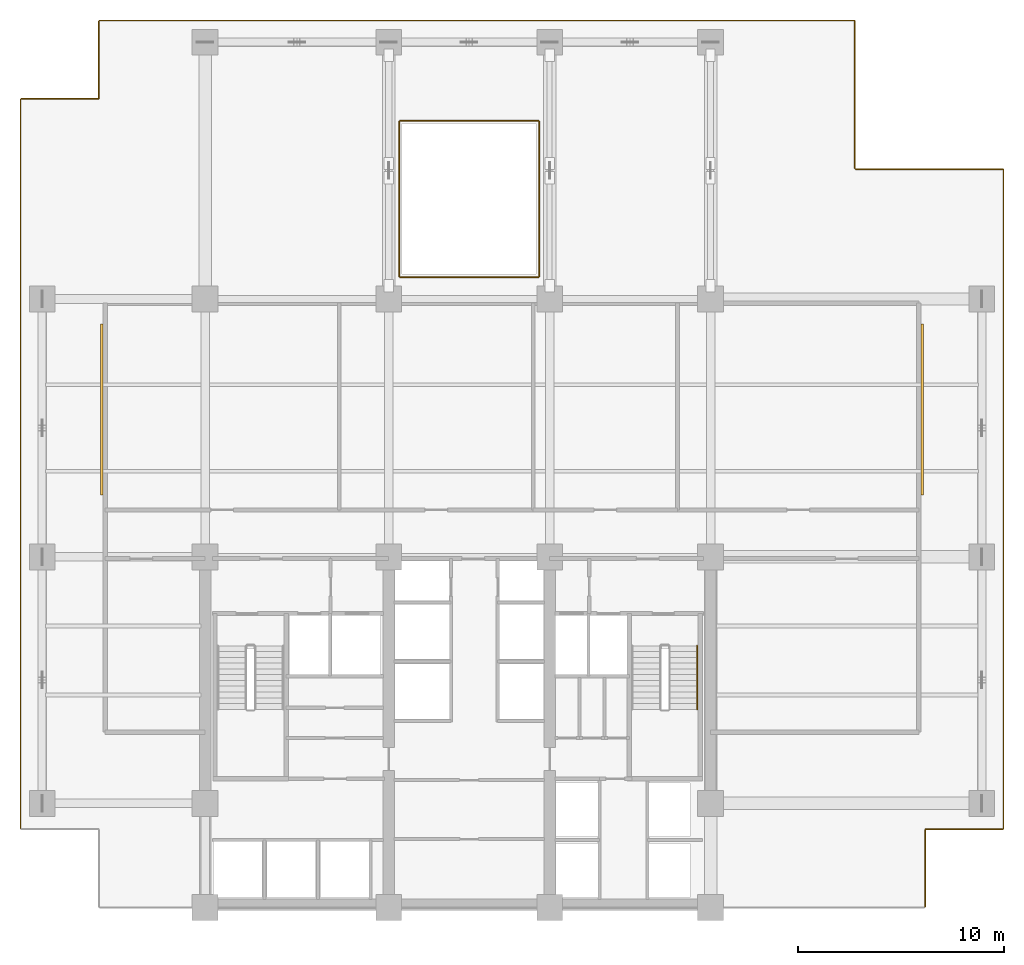
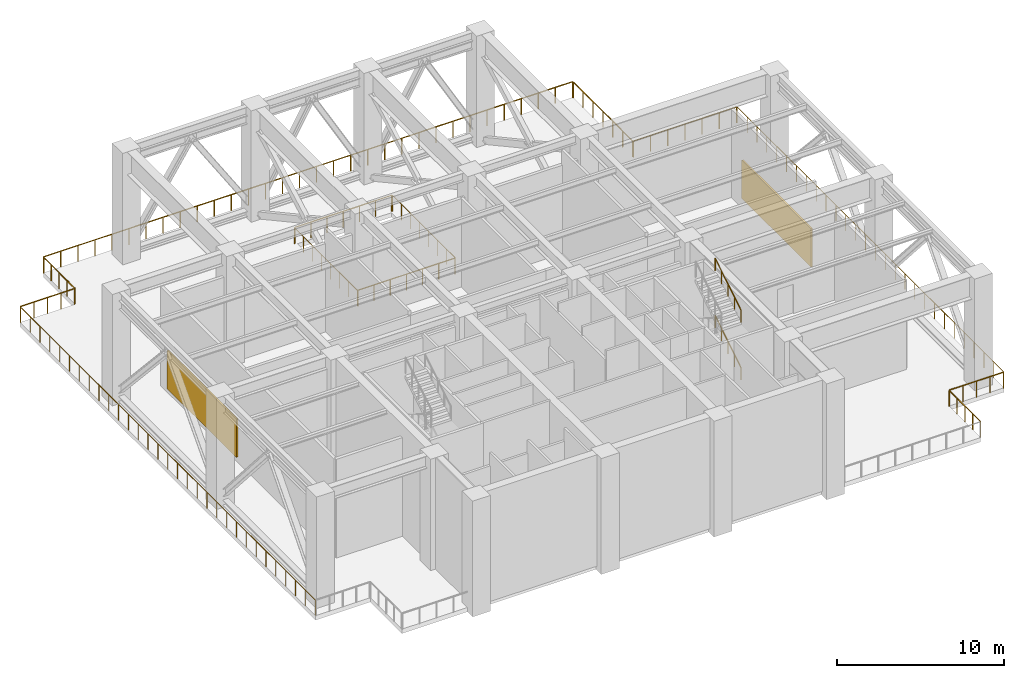
# One storey, part 7 of 7: 15 railings, 2 shading devices.
"""IFC4 building model written with IfcOpenShell, lengths in metres."""

from ifc_helpers import new_model, si_unit, direction, frame, origin, origin_2d, place, context, subcontext, project, spatial, polyline, circle, outline, extrude, material, layer, layer_set, type_object, element, save


model = new_model("IFC4")

# Units and contexts
model_context = context("Model", 3, precision=1e-05, world=origin(), true_north=direction((0.0, 1.0)))
body_context = subcontext(model_context, "Body", "Model", "MODEL_VIEW")
ifc_project = project(units=[si_unit("LENGTHUNIT", "METRE"), si_unit("AREAUNIT", "SQUARE_METRE"), si_unit("VOLUMEUNIT", "CUBIC_METRE"), si_unit("PLANEANGLEUNIT", "RADIAN"), si_unit("MASSUNIT", "GRAM", prefix="KILO")], contexts=[model_context])

# Site, building, storey
site_placement = place(None, origin())
site = spatial("IfcSite", under=ifc_project, at=site_placement, CompositionType="ELEMENT")
building_placement = place(site_placement, origin())
building = spatial("IfcBuilding", under=site, at=building_placement, Name="Qalmaran Belvedere Hotel", CompositionType="ELEMENT")
storey_placement = place(building_placement, frame((0.0, 0.0, 130.199951171875)))
storey = spatial("IfcBuildingStorey", under=building, at=storey_placement, Name="L33", CompositionType="ELEMENT", Elevation=130.199951171875)

# Railings
ifc_material_1 = material(Name="Anodised Bronze Aluminium", Category="aluminium")
railing_type_1 = type_object("IfcRailingType", Name="GRD-PORTAL-1180", PredefinedType="BALUSTRADE", material=ifc_material_1)
railing_1_placement = place(storey_placement, frame((55.199951171875, 3.534912109375, 0.0)))
element("IfcRailing", 1, at=railing_1_placement, inside=storey, type_object=railing_type_1, Name="L33 Guardrail L33-OUT-2", PredefinedType="BALUSTRADE", context=body_context, shape_type="SweptSolid", body=[
    extrude(circle(Radius=0.02392578125, at=origin_2d()), frame((0.0, 0.0, 1.15576171875), z_axis=(0.0, 1.0, 0.0), x_axis=(-1.0, 0.0, 0.0)), (0.0, 0.0, 1.0), 3.72998046875),
    extrude(circle(Radius=0.02099609375, at=origin_2d()), origin(), (0.0, 0.0, 1.0), 1.1318359375),
    extrude(circle(Radius=0.02099609375, at=origin_2d()), frame((0.0, 0.9326171875, 0.0)), (0.0, 0.0, 1.0), 1.1318359375),
    extrude(circle(Radius=0.02099609375, at=origin_2d()), frame((0.0, 1.864990234375, 0.0)), (0.0, 0.0, 1.0), 1.1318359375),
    extrude(circle(Radius=0.02099609375, at=origin_2d()), frame((0.0, 2.79736328125, 0.0)), (0.0, 0.0, 1.0), 1.1318359375),
    extrude(circle(Radius=0.02099609375, at=origin_2d()), frame((0.0, 3.72998046875, 0.0)), (0.0, 0.0, 1.0), 1.1318359375),
])
railing_2_placement = place(storey_placement, frame((55.235107421875, 7.300048828125, 0.0)))
element("IfcRailing", 2, at=railing_2_placement, inside=storey, type_object=railing_type_1, Name="L33 Guardrail L33-OUT-3", PredefinedType="BALUSTRADE", context=body_context, shape_type="SweptSolid", body=[
    extrude(circle(Radius=0.02392578125, at=origin_2d()), frame((0.0, 0.0, 1.15576171875), z_axis=(1.0, 0.0, 0.0), x_axis=(0.0, 1.0, 0.0)), (0.0, 0.0, 1.0), 3.72998046875),
    extrude(circle(Radius=0.02099609375, at=origin_2d()), origin(), (0.0, 0.0, 1.0), 1.1318359375),
    extrude(circle(Radius=0.02099609375, at=origin_2d()), frame((0.9326171875, 0.0, 0.0)), (0.0, 0.0, 1.0), 1.1318359375),
    extrude(circle(Radius=0.02099609375, at=origin_2d()), frame((1.864990234375, 0.0, 0.0)), (0.0, 0.0, 1.0), 1.1318359375),
    extrude(circle(Radius=0.02099609375, at=origin_2d()), frame((2.79736328125, 0.0, 0.0)), (0.0, 0.0, 1.0), 1.1318359375),
    extrude(circle(Radius=0.02099609375, at=origin_2d()), frame((3.72998046875, 0.0, 0.0)), (0.0, 0.0, 1.0), 1.1318359375),
])
railing_3_placement = place(storey_placement, frame((59.0, 7.3349609375, 0.0)))
element("IfcRailing", 3, at=railing_3_placement, inside=storey, type_object=railing_type_1, Name="L33 Guardrail L33-OUT-4", PredefinedType="BALUSTRADE", context=body_context, shape_type="SweptSolid", body=[
    extrude(circle(Radius=0.02392578125, at=origin_2d()), frame((0.0, 0.0, 1.15576171875), z_axis=(0.0, 1.0, 0.0), x_axis=(-1.0, 0.0, 0.0)), (0.0, 0.0, 1.0), 31.929931640625),
    extrude(circle(Radius=0.02099609375, at=origin_2d()), origin(), (0.0, 0.0, 1.0), 1.1318359375),
    extrude(circle(Radius=0.02099609375, at=origin_2d()), frame((0.0, 1.1826171875, 0.0)), (0.0, 0.0, 1.0), 1.1318359375),
    extrude(circle(Radius=0.02099609375, at=origin_2d()), frame((0.0, 2.365234375, 0.0)), (0.0, 0.0, 1.0), 1.1318359375),
    extrude(circle(Radius=0.02099609375, at=origin_2d()), frame((0.0, 3.5478515625, 0.0)), (0.0, 0.0, 1.0), 1.1318359375),
    extrude(circle(Radius=0.02099609375, at=origin_2d()), frame((0.0, 4.73046875, 0.0)), (0.0, 0.0, 1.0), 1.1318359375),
    extrude(circle(Radius=0.02099609375, at=origin_2d()), frame((0.0, 5.912841796875, 0.0)), (0.0, 0.0, 1.0), 1.1318359375),
    extrude(circle(Radius=0.02099609375, at=origin_2d()), frame((0.0, 7.095458984375, 0.0)), (0.0, 0.0, 1.0), 1.1318359375),
    extrude(circle(Radius=0.02099609375, at=origin_2d()), frame((0.0, 8.278076171875, 0.0)), (0.0, 0.0, 1.0), 1.1318359375),
    extrude(circle(Radius=0.02099609375, at=origin_2d()), frame((0.0, 9.460693359375, 0.0)), (0.0, 0.0, 1.0), 1.1318359375),
    extrude(circle(Radius=0.02099609375, at=origin_2d()), frame((0.0, 10.643310546875, 0.0)), (0.0, 0.0, 1.0), 1.1318359375),
    extrude(circle(Radius=0.02099609375, at=origin_2d()), frame((0.0, 11.825927734375, 0.0)), (0.0, 0.0, 1.0), 1.1318359375),
    extrude(circle(Radius=0.02099609375, at=origin_2d()), frame((0.0, 13.008544921875, 0.0)), (0.0, 0.0, 1.0), 1.1318359375),
    extrude(circle(Radius=0.02099609375, at=origin_2d()), frame((0.0, 14.191162109375, 0.0)), (0.0, 0.0, 1.0), 1.1318359375),
    extrude(circle(Radius=0.02099609375, at=origin_2d()), frame((0.0, 15.373779296875, 0.0)), (0.0, 0.0, 1.0), 1.1318359375),
    extrude(circle(Radius=0.02099609375, at=origin_2d()), frame((0.0, 16.55615234375, 0.0)), (0.0, 0.0, 1.0), 1.1318359375),
    extrude(circle(Radius=0.02099609375, at=origin_2d()), frame((0.0, 17.73876953125, 0.0)), (0.0, 0.0, 1.0), 1.1318359375),
    extrude(circle(Radius=0.02099609375, at=origin_2d()), frame((0.0, 18.92138671875, 0.0)), (0.0, 0.0, 1.0), 1.1318359375),
    extrude(circle(Radius=0.02099609375, at=origin_2d()), frame((0.0, 20.10400390625, 0.0)), (0.0, 0.0, 1.0), 1.1318359375),
    extrude(circle(Radius=0.02099609375, at=origin_2d()), frame((0.0, 21.28662109375, 0.0)), (0.0, 0.0, 1.0), 1.1318359375),
    extrude(circle(Radius=0.02099609375, at=origin_2d()), frame((0.0, 22.46923828125, 0.0)), (0.0, 0.0, 1.0), 1.1318359375),
    extrude(circle(Radius=0.02099609375, at=origin_2d()), frame((0.0, 23.65185546875, 0.0)), (0.0, 0.0, 1.0), 1.1318359375),
    extrude(circle(Radius=0.02099609375, at=origin_2d()), frame((0.0, 24.83447265625, 0.0)), (0.0, 0.0, 1.0), 1.1318359375),
    extrude(circle(Radius=0.02099609375, at=origin_2d()), frame((0.0, 26.01708984375, 0.0)), (0.0, 0.0, 1.0), 1.1318359375),
    extrude(circle(Radius=0.02099609375, at=origin_2d()), frame((0.0, 27.199462890625, 0.0)), (0.0, 0.0, 1.0), 1.1318359375),
    extrude(circle(Radius=0.02099609375, at=origin_2d()), frame((0.0, 28.382080078125, 0.0)), (0.0, 0.0, 1.0), 1.1318359375),
    extrude(circle(Radius=0.02099609375, at=origin_2d()), frame((0.0, 29.564697265625, 0.0)), (0.0, 0.0, 1.0), 1.1318359375),
    extrude(circle(Radius=0.02099609375, at=origin_2d()), frame((0.0, 30.747314453125, 0.0)), (0.0, 0.0, 1.0), 1.1318359375),
    extrude(circle(Radius=0.02099609375, at=origin_2d()), frame((0.0, 31.929931640625, 0.0)), (0.0, 0.0, 1.0), 1.1318359375),
])
railing_4_placement = place(storey_placement, frame((58.965087890625, 39.300048828125, 0.0)))
element("IfcRailing", 4, at=railing_4_placement, inside=storey, type_object=railing_type_1, Name="L33 Guardrail L33-OUT-5", PredefinedType="BALUSTRADE", context=body_context, shape_type="SweptSolid", body=[
    extrude(circle(Radius=0.02392578125, at=origin_2d()), frame((0.0, 0.0, 1.15576171875), z_axis=(-1.0, 0.0, 0.0), x_axis=(0.0, -1.0, 0.0)), (0.0, 0.0, 1.0), 7.130126953125),
    extrude(circle(Radius=0.02099609375, at=origin_2d()), origin(), (0.0, 0.0, 1.0), 1.1318359375),
    extrude(circle(Radius=0.02099609375, at=origin_2d()), frame((-1.1884765625, 0.0, 0.0)), (0.0, 0.0, 1.0), 1.1318359375),
    extrude(circle(Radius=0.02099609375, at=origin_2d()), frame((-2.376708984375, 0.0, 0.0)), (0.0, 0.0, 1.0), 1.1318359375),
    extrude(circle(Radius=0.02099609375, at=origin_2d()), frame((-3.56494140625, 0.0, 0.0)), (0.0, 0.0, 1.0), 1.1318359375),
    extrude(circle(Radius=0.02099609375, at=origin_2d()), frame((-4.75341796875, 0.0, 0.0)), (0.0, 0.0, 1.0), 1.1318359375),
    extrude(circle(Radius=0.02099609375, at=origin_2d()), frame((-5.94189453125, 0.0, 0.0)), (0.0, 0.0, 1.0), 1.1318359375),
    extrude(circle(Radius=0.02099609375, at=origin_2d()), frame((-7.130126953125, 0.0, 0.0)), (0.0, 0.0, 1.0), 1.1318359375),
])
railing_5_placement = place(storey_placement, frame((51.800048828125, 39.3349609375, 0.0)))
element("IfcRailing", 5, at=railing_5_placement, inside=storey, type_object=railing_type_1, Name="L33 Guardrail L33-OUT-6", PredefinedType="BALUSTRADE", context=body_context, shape_type="SweptSolid", body=[
    extrude(circle(Radius=0.02392578125, at=origin_2d()), frame((0.0, 0.0, 1.15576171875), z_axis=(0.0, 1.0, 0.0), x_axis=(-1.0, 0.0, 0.0)), (0.0, 0.0, 1.0), 7.130126953125),
    extrude(circle(Radius=0.02099609375, at=origin_2d()), origin(), (0.0, 0.0, 1.0), 1.1318359375),
    extrude(circle(Radius=0.02099609375, at=origin_2d()), frame((0.0, 1.1884765625, 0.0)), (0.0, 0.0, 1.0), 1.1318359375),
    extrude(circle(Radius=0.02099609375, at=origin_2d()), frame((0.0, 2.376708984375, 0.0)), (0.0, 0.0, 1.0), 1.1318359375),
    extrude(circle(Radius=0.02099609375, at=origin_2d()), frame((0.0, 3.56494140625, 0.0)), (0.0, 0.0, 1.0), 1.1318359375),
    extrude(circle(Radius=0.02099609375, at=origin_2d()), frame((0.0, 4.75341796875, 0.0)), (0.0, 0.0, 1.0), 1.1318359375),
    extrude(circle(Radius=0.02099609375, at=origin_2d()), frame((0.0, 5.94189453125, 0.0)), (0.0, 0.0, 1.0), 1.1318359375),
    extrude(circle(Radius=0.02099609375, at=origin_2d()), frame((0.0, 7.130126953125, 0.0)), (0.0, 0.0, 1.0), 1.1318359375),
])
railing_6_placement = place(storey_placement, frame((51.764892578125, 46.5, 0.0)))
element("IfcRailing", 6, at=railing_6_placement, inside=storey, type_object=railing_type_1, Name="L33 Guardrail L33-OUT-7", PredefinedType="BALUSTRADE", context=body_context, shape_type="SweptSolid", body=[
    extrude(circle(Radius=0.02392578125, at=origin_2d()), frame((0.0, 0.0, 1.15576171875), z_axis=(-1.0, 0.0, 0.0), x_axis=(0.0, -1.0, 0.0)), (0.0, 0.0, 1.0), 36.579833984375),
    extrude(circle(Radius=0.02099609375, at=origin_2d()), origin(), (0.0, 0.0, 1.0), 1.1318359375),
    extrude(circle(Radius=0.02099609375, at=origin_2d()), frame((-1.179931640625, 0.0, 0.0)), (0.0, 0.0, 1.0), 1.1318359375),
    extrude(circle(Radius=0.02099609375, at=origin_2d()), frame((-2.360107421875, 0.0, 0.0)), (0.0, 0.0, 1.0), 1.1318359375),
    extrude(circle(Radius=0.02099609375, at=origin_2d()), frame((-3.5400390625, 0.0, 0.0)), (0.0, 0.0, 1.0), 1.1318359375),
    extrude(circle(Radius=0.02099609375, at=origin_2d()), frame((-4.719970703125, 0.0, 0.0)), (0.0, 0.0, 1.0), 1.1318359375),
    extrude(circle(Radius=0.02099609375, at=origin_2d()), frame((-5.89990234375, 0.0, 0.0)), (0.0, 0.0, 1.0), 1.1318359375),
    extrude(circle(Radius=0.02099609375, at=origin_2d()), frame((-7.080078125, 0.0, 0.0)), (0.0, 0.0, 1.0), 1.1318359375),
    extrude(circle(Radius=0.02099609375, at=origin_2d()), frame((-8.260009765625, 0.0, 0.0)), (0.0, 0.0, 1.0), 1.1318359375),
    extrude(circle(Radius=0.02099609375, at=origin_2d()), frame((-9.43994140625, 0.0, 0.0)), (0.0, 0.0, 1.0), 1.1318359375),
    extrude(circle(Radius=0.02099609375, at=origin_2d()), frame((-10.619873046875, 0.0, 0.0)), (0.0, 0.0, 1.0), 1.1318359375),
    extrude(circle(Radius=0.02099609375, at=origin_2d()), frame((-11.800048828125, 0.0, 0.0)), (0.0, 0.0, 1.0), 1.1318359375),
    extrude(circle(Radius=0.02099609375, at=origin_2d()), frame((-12.97998046875, 0.0, 0.0)), (0.0, 0.0, 1.0), 1.1318359375),
    extrude(circle(Radius=0.02099609375, at=origin_2d()), frame((-14.159912109375, 0.0, 0.0)), (0.0, 0.0, 1.0), 1.1318359375),
    extrude(circle(Radius=0.02099609375, at=origin_2d()), frame((-15.33984375, 0.0, 0.0)), (0.0, 0.0, 1.0), 1.1318359375),
    extrude(circle(Radius=0.02099609375, at=origin_2d()), frame((-16.52001953125, 0.0, 0.0)), (0.0, 0.0, 1.0), 1.1318359375),
    extrude(circle(Radius=0.02099609375, at=origin_2d()), frame((-17.699951171875, 0.0, 0.0)), (0.0, 0.0, 1.0), 1.1318359375),
    extrude(circle(Radius=0.02099609375, at=origin_2d()), frame((-18.8798828125, 0.0, 0.0)), (0.0, 0.0, 1.0), 1.1318359375),
    extrude(circle(Radius=0.02099609375, at=origin_2d()), frame((-20.059814453125, 0.0, 0.0)), (0.0, 0.0, 1.0), 1.1318359375),
    extrude(circle(Radius=0.02099609375, at=origin_2d()), frame((-21.239990234375, 0.0, 0.0)), (0.0, 0.0, 1.0), 1.1318359375),
    extrude(circle(Radius=0.02099609375, at=origin_2d()), frame((-22.419921875, 0.0, 0.0)), (0.0, 0.0, 1.0), 1.1318359375),
    extrude(circle(Radius=0.02099609375, at=origin_2d()), frame((-23.599853515625, 0.0, 0.0)), (0.0, 0.0, 1.0), 1.1318359375),
    extrude(circle(Radius=0.02099609375, at=origin_2d()), frame((-24.77978515625, 0.0, 0.0)), (0.0, 0.0, 1.0), 1.1318359375),
    extrude(circle(Radius=0.02099609375, at=origin_2d()), frame((-25.9599609375, 0.0, 0.0)), (0.0, 0.0, 1.0), 1.1318359375),
    extrude(circle(Radius=0.02099609375, at=origin_2d()), frame((-27.139892578125, 0.0, 0.0)), (0.0, 0.0, 1.0), 1.1318359375),
    extrude(circle(Radius=0.02099609375, at=origin_2d()), frame((-28.31982421875, 0.0, 0.0)), (0.0, 0.0, 1.0), 1.1318359375),
    extrude(circle(Radius=0.02099609375, at=origin_2d()), frame((-29.499755859375, 0.0, 0.0)), (0.0, 0.0, 1.0), 1.1318359375),
    extrude(circle(Radius=0.02099609375, at=origin_2d()), frame((-30.679931640625, 0.0, 0.0)), (0.0, 0.0, 1.0), 1.1318359375),
    extrude(circle(Radius=0.02099609375, at=origin_2d()), frame((-31.85986328125, 0.0, 0.0)), (0.0, 0.0, 1.0), 1.1318359375),
    extrude(circle(Radius=0.02099609375, at=origin_2d()), frame((-33.039794921875, 0.0, 0.0)), (0.0, 0.0, 1.0), 1.1318359375),
    extrude(circle(Radius=0.02099609375, at=origin_2d()), frame((-34.2197265625, 0.0, 0.0)), (0.0, 0.0, 1.0), 1.1318359375),
    extrude(circle(Radius=0.02099609375, at=origin_2d()), frame((-35.39990234375, 0.0, 0.0)), (0.0, 0.0, 1.0), 1.1318359375),
    extrude(circle(Radius=0.02099609375, at=origin_2d()), frame((-36.579833984375, 0.0, 0.0)), (0.0, 0.0, 1.0), 1.1318359375),
])
railing_7_placement = place(storey_placement, frame((15.14990234375, 46.465087890625, 0.0)))
element("IfcRailing", 7, at=railing_7_placement, inside=storey, type_object=railing_type_1, Name="L33 Guardrail L33-OUT-8", PredefinedType="BALUSTRADE", context=body_context, shape_type="SweptSolid", body=[
    extrude(circle(Radius=0.02392578125, at=origin_2d()), frame((0.0, 0.0, 1.15576171875), z_axis=(0.0, -1.0, 0.0), x_axis=(1.0, 0.0, 0.0)), (0.0, 0.0, 1.0), 3.72998046875),
    extrude(circle(Radius=0.02099609375, at=origin_2d()), origin(), (0.0, 0.0, 1.0), 1.1318359375),
    extrude(circle(Radius=0.02099609375, at=origin_2d()), frame((0.0, -0.9326171875, 0.0)), (0.0, 0.0, 1.0), 1.1318359375),
    extrude(circle(Radius=0.02099609375, at=origin_2d()), frame((0.0, -1.864990234375, 0.0)), (0.0, 0.0, 1.0), 1.1318359375),
    extrude(circle(Radius=0.02099609375, at=origin_2d()), frame((0.0, -2.79736328125, 0.0)), (0.0, 0.0, 1.0), 1.1318359375),
    extrude(circle(Radius=0.02099609375, at=origin_2d()), frame((0.0, -3.72998046875, 0.0)), (0.0, 0.0, 1.0), 1.1318359375),
])
railing_8_placement = place(storey_placement, frame((15.114990234375, 42.699951171875, 0.0)))
element("IfcRailing", 8, at=railing_8_placement, inside=storey, type_object=railing_type_1, Name="L33 Guardrail L33-OUT-9", PredefinedType="BALUSTRADE", context=body_context, shape_type="SweptSolid", body=[
    extrude(circle(Radius=0.02392578125, at=origin_2d()), frame((0.0, 0.0, 1.15576171875), z_axis=(-1.0, 0.0, 0.0), x_axis=(0.0, -1.0, 0.0)), (0.0, 0.0, 1.0), 3.72998046875),
    extrude(circle(Radius=0.02099609375, at=origin_2d()), origin(), (0.0, 0.0, 1.0), 1.1318359375),
    extrude(circle(Radius=0.02099609375, at=origin_2d()), frame((-0.9326171875, 0.0, 0.0)), (0.0, 0.0, 1.0), 1.1318359375),
    extrude(circle(Radius=0.02099609375, at=origin_2d()), frame((-1.864990234375, 0.0, 0.0)), (0.0, 0.0, 1.0), 1.1318359375),
    extrude(circle(Radius=0.02099609375, at=origin_2d()), frame((-2.79736328125, 0.0, 0.0)), (0.0, 0.0, 1.0), 1.1318359375),
    extrude(circle(Radius=0.02099609375, at=origin_2d()), frame((-3.72998046875, 0.0, 0.0)), (0.0, 0.0, 1.0), 1.1318359375),
])
railing_9_placement = place(storey_placement, frame((11.35009765625, 42.6650390625, 0.0)))
element("IfcRailing", 9, at=railing_9_placement, inside=storey, type_object=railing_type_1, Name="L33 Guardrail L33-OUT-10", PredefinedType="BALUSTRADE", context=body_context, shape_type="SweptSolid", body=[
    extrude(circle(Radius=0.02392578125, at=origin_2d()), frame((0.0, 0.0, 1.15576171875), z_axis=(0.0, -1.0, 0.0), x_axis=(1.0, 0.0, 0.0)), (0.0, 0.0, 1.0), 35.330078125),
    extrude(circle(Radius=0.02099609375, at=origin_2d()), origin(), (0.0, 0.0, 1.0), 1.1318359375),
    extrude(circle(Radius=0.02099609375, at=origin_2d()), frame((0.0, -1.177734375, 0.0)), (0.0, 0.0, 1.0), 1.1318359375),
    extrude(circle(Radius=0.02099609375, at=origin_2d()), frame((0.0, -2.355224609375, 0.0)), (0.0, 0.0, 1.0), 1.1318359375),
    extrude(circle(Radius=0.02099609375, at=origin_2d()), frame((0.0, -3.532958984375, 0.0)), (0.0, 0.0, 1.0), 1.1318359375),
    extrude(circle(Radius=0.02099609375, at=origin_2d()), frame((0.0, -4.710693359375, 0.0)), (0.0, 0.0, 1.0), 1.1318359375),
    extrude(circle(Radius=0.02099609375, at=origin_2d()), frame((0.0, -5.888427734375, 0.0)), (0.0, 0.0, 1.0), 1.1318359375),
    extrude(circle(Radius=0.02099609375, at=origin_2d()), frame((0.0, -7.06591796875, 0.0)), (0.0, 0.0, 1.0), 1.1318359375),
    extrude(circle(Radius=0.02099609375, at=origin_2d()), frame((0.0, -8.24365234375, 0.0)), (0.0, 0.0, 1.0), 1.1318359375),
    extrude(circle(Radius=0.02099609375, at=origin_2d()), frame((0.0, -9.42138671875, 0.0)), (0.0, 0.0, 1.0), 1.1318359375),
    extrude(circle(Radius=0.02099609375, at=origin_2d()), frame((0.0, -10.59912109375, 0.0)), (0.0, 0.0, 1.0), 1.1318359375),
    extrude(circle(Radius=0.02099609375, at=origin_2d()), frame((0.0, -11.776611328125, 0.0)), (0.0, 0.0, 1.0), 1.1318359375),
    extrude(circle(Radius=0.02099609375, at=origin_2d()), frame((0.0, -12.954345703125, 0.0)), (0.0, 0.0, 1.0), 1.1318359375),
    extrude(circle(Radius=0.02099609375, at=origin_2d()), frame((0.0, -14.132080078125, 0.0)), (0.0, 0.0, 1.0), 1.1318359375),
    extrude(circle(Radius=0.02099609375, at=origin_2d()), frame((0.0, -15.309814453125, 0.0)), (0.0, 0.0, 1.0), 1.1318359375),
    extrude(circle(Radius=0.02099609375, at=origin_2d()), frame((0.0, -16.4873046875, 0.0)), (0.0, 0.0, 1.0), 1.1318359375),
    extrude(circle(Radius=0.02099609375, at=origin_2d()), frame((0.0, -17.6650390625, 0.0)), (0.0, 0.0, 1.0), 1.1318359375),
    extrude(circle(Radius=0.02099609375, at=origin_2d()), frame((0.0, -18.8427734375, 0.0)), (0.0, 0.0, 1.0), 1.1318359375),
    extrude(circle(Radius=0.02099609375, at=origin_2d()), frame((0.0, -20.020263671875, 0.0)), (0.0, 0.0, 1.0), 1.1318359375),
    extrude(circle(Radius=0.02099609375, at=origin_2d()), frame((0.0, -21.197998046875, 0.0)), (0.0, 0.0, 1.0), 1.1318359375),
    extrude(circle(Radius=0.02099609375, at=origin_2d()), frame((0.0, -22.375732421875, 0.0)), (0.0, 0.0, 1.0), 1.1318359375),
    extrude(circle(Radius=0.02099609375, at=origin_2d()), frame((0.0, -23.553466796875, 0.0)), (0.0, 0.0, 1.0), 1.1318359375),
    extrude(circle(Radius=0.02099609375, at=origin_2d()), frame((0.0, -24.73095703125, 0.0)), (0.0, 0.0, 1.0), 1.1318359375),
    extrude(circle(Radius=0.02099609375, at=origin_2d()), frame((0.0, -25.90869140625, 0.0)), (0.0, 0.0, 1.0), 1.1318359375),
    extrude(circle(Radius=0.02099609375, at=origin_2d()), frame((0.0, -27.08642578125, 0.0)), (0.0, 0.0, 1.0), 1.1318359375),
    extrude(circle(Radius=0.02099609375, at=origin_2d()), frame((0.0, -28.26416015625, 0.0)), (0.0, 0.0, 1.0), 1.1318359375),
    extrude(circle(Radius=0.02099609375, at=origin_2d()), frame((0.0, -29.441650390625, 0.0)), (0.0, 0.0, 1.0), 1.1318359375),
    extrude(circle(Radius=0.02099609375, at=origin_2d()), frame((0.0, -30.619384765625, 0.0)), (0.0, 0.0, 1.0), 1.1318359375),
    extrude(circle(Radius=0.02099609375, at=origin_2d()), frame((0.0, -31.797119140625, 0.0)), (0.0, 0.0, 1.0), 1.1318359375),
    extrude(circle(Radius=0.02099609375, at=origin_2d()), frame((0.0, -32.974853515625, 0.0)), (0.0, 0.0, 1.0), 1.1318359375),
    extrude(circle(Radius=0.02099609375, at=origin_2d()), frame((0.0, -34.15234375, 0.0)), (0.0, 0.0, 1.0), 1.1318359375),
    extrude(circle(Radius=0.02099609375, at=origin_2d()), frame((0.0, -35.330078125, 0.0)), (0.0, 0.0, 1.0), 1.1318359375),
])
railing_10_placement = place(storey_placement, frame((29.7451171875, 34.06005859375, 0.0)))
element("IfcRailing", 10, at=railing_10_placement, inside=storey, type_object=railing_type_1, Name="L33 Guardrail L33-VOID-1", PredefinedType="BALUSTRADE", context=body_context, shape_type="SweptSolid", body=[
    extrude(circle(Radius=0.02392578125, at=origin_2d()), frame((0.0, 0.0, 1.15576171875), z_axis=(1.0, 0.0, 0.0), x_axis=(0.0, 1.0, 0.0)), (0.0, 0.0, 1.0), 6.7099609375),
    extrude(circle(Radius=0.02099609375, at=origin_2d()), origin(), (0.0, 0.0, 1.0), 1.1318359375),
    extrude(circle(Radius=0.02099609375, at=origin_2d()), frame((1.118408203125, 0.0, 0.0)), (0.0, 0.0, 1.0), 1.1318359375),
    extrude(circle(Radius=0.02099609375, at=origin_2d()), frame((2.236572265625, 0.0, 0.0)), (0.0, 0.0, 1.0), 1.1318359375),
    extrude(circle(Radius=0.02099609375, at=origin_2d()), frame((3.35498046875, 0.0, 0.0)), (0.0, 0.0, 1.0), 1.1318359375),
    extrude(circle(Radius=0.02099609375, at=origin_2d()), frame((4.473388671875, 0.0, 0.0)), (0.0, 0.0, 1.0), 1.1318359375),
    extrude(circle(Radius=0.02099609375, at=origin_2d()), frame((5.591552734375, 0.0, 0.0)), (0.0, 0.0, 1.0), 1.1318359375),
    extrude(circle(Radius=0.02099609375, at=origin_2d()), frame((6.7099609375, 0.0, 0.0)), (0.0, 0.0, 1.0), 1.1318359375),
])
railing_11_placement = place(storey_placement, frame((36.489990234375, 34.094970703125, 0.0)))
element("IfcRailing", 11, at=railing_11_placement, inside=storey, type_object=railing_type_1, Name="L33 Guardrail L33-VOID-2", PredefinedType="BALUSTRADE", context=body_context, shape_type="SweptSolid", body=[
    extrude(circle(Radius=0.02392578125, at=origin_2d()), frame((0.0, 0.0, 1.15576171875), z_axis=(0.0, 1.0, 0.0), x_axis=(-1.0, 0.0, 0.0)), (0.0, 0.0, 1.0), 7.510009765625),
    extrude(circle(Radius=0.02099609375, at=origin_2d()), origin(), (0.0, 0.0, 1.0), 1.1318359375),
    extrude(circle(Radius=0.02099609375, at=origin_2d()), frame((0.0, 1.07275390625, 0.0)), (0.0, 0.0, 1.0), 1.1318359375),
    extrude(circle(Radius=0.02099609375, at=origin_2d()), frame((0.0, 2.145751953125, 0.0)), (0.0, 0.0, 1.0), 1.1318359375),
    extrude(circle(Radius=0.02099609375, at=origin_2d()), frame((0.0, 3.218505859375, 0.0)), (0.0, 0.0, 1.0), 1.1318359375),
    extrude(circle(Radius=0.02099609375, at=origin_2d()), frame((0.0, 4.29150390625, 0.0)), (0.0, 0.0, 1.0), 1.1318359375),
    extrude(circle(Radius=0.02099609375, at=origin_2d()), frame((0.0, 5.3642578125, 0.0)), (0.0, 0.0, 1.0), 1.1318359375),
    extrude(circle(Radius=0.02099609375, at=origin_2d()), frame((0.0, 6.437255859375, 0.0)), (0.0, 0.0, 1.0), 1.1318359375),
    extrude(circle(Radius=0.02099609375, at=origin_2d()), frame((0.0, 7.510009765625, 0.0)), (0.0, 0.0, 1.0), 1.1318359375),
])
railing_12_placement = place(storey_placement, frame((36.455078125, 41.639892578125, 0.0)))
element("IfcRailing", 12, at=railing_12_placement, inside=storey, type_object=railing_type_1, Name="L33 Guardrail L33-VOID-3", PredefinedType="BALUSTRADE", context=body_context, shape_type="SweptSolid", body=[
    extrude(circle(Radius=0.02392578125, at=origin_2d()), frame((0.0, 0.0, 1.15576171875), z_axis=(-1.0, 0.0, 0.0), x_axis=(0.0, -1.0, 0.0)), (0.0, 0.0, 1.0), 6.7099609375),
    extrude(circle(Radius=0.02099609375, at=origin_2d()), origin(), (0.0, 0.0, 1.0), 1.1318359375),
    extrude(circle(Radius=0.02099609375, at=origin_2d()), frame((-1.118408203125, 0.0, 0.0)), (0.0, 0.0, 1.0), 1.1318359375),
    extrude(circle(Radius=0.02099609375, at=origin_2d()), frame((-2.236572265625, 0.0, 0.0)), (0.0, 0.0, 1.0), 1.1318359375),
    extrude(circle(Radius=0.02099609375, at=origin_2d()), frame((-3.35498046875, 0.0, 0.0)), (0.0, 0.0, 1.0), 1.1318359375),
    extrude(circle(Radius=0.02099609375, at=origin_2d()), frame((-4.473388671875, 0.0, 0.0)), (0.0, 0.0, 1.0), 1.1318359375),
    extrude(circle(Radius=0.02099609375, at=origin_2d()), frame((-5.591552734375, 0.0, 0.0)), (0.0, 0.0, 1.0), 1.1318359375),
    extrude(circle(Radius=0.02099609375, at=origin_2d()), frame((-6.7099609375, 0.0, 0.0)), (0.0, 0.0, 1.0), 1.1318359375),
])
railing_13_placement = place(storey_placement, frame((29.7099609375, 41.60498046875, 0.0)))
element("IfcRailing", 13, at=railing_13_placement, inside=storey, type_object=railing_type_1, Name="L33 Guardrail L33-VOID-4", PredefinedType="BALUSTRADE", context=body_context, shape_type="SweptSolid", body=[
    extrude(circle(Radius=0.02392578125, at=origin_2d()), frame((0.0, 0.0, 1.15576171875), z_axis=(0.0, -1.0, 0.0), x_axis=(1.0, 0.0, 0.0)), (0.0, 0.0, 1.0), 7.510009765625),
    extrude(circle(Radius=0.02099609375, at=origin_2d()), origin(), (0.0, 0.0, 1.0), 1.1318359375),
    extrude(circle(Radius=0.02099609375, at=origin_2d()), frame((0.0, -1.07275390625, 0.0)), (0.0, 0.0, 1.0), 1.1318359375),
    extrude(circle(Radius=0.02099609375, at=origin_2d()), frame((0.0, -2.145751953125, 0.0)), (0.0, 0.0, 1.0), 1.1318359375),
    extrude(circle(Radius=0.02099609375, at=origin_2d()), frame((0.0, -3.218505859375, 0.0)), (0.0, 0.0, 1.0), 1.1318359375),
    extrude(circle(Radius=0.02099609375, at=origin_2d()), frame((0.0, -4.29150390625, 0.0)), (0.0, 0.0, 1.0), 1.1318359375),
    extrude(circle(Radius=0.02099609375, at=origin_2d()), frame((0.0, -5.3642578125, 0.0)), (0.0, 0.0, 1.0), 1.1318359375),
    extrude(circle(Radius=0.02099609375, at=origin_2d()), frame((0.0, -6.437255859375, 0.0)), (0.0, 0.0, 1.0), 1.1318359375),
    extrude(circle(Radius=0.02099609375, at=origin_2d()), frame((0.0, -7.510009765625, 0.0)), (0.0, 0.0, 1.0), 1.1318359375),
])

# Shading devices
ifc_layer = layer(ifc_material_1, 0.1201171875, Name="Anodised Bronze Aluminium")
ifc_layer_set = layer_set([ifc_layer], Name="Anodised Bronze Aluminium")
shading_device_type = type_object("IfcShadingDeviceType", Name="LVR-PLANT-120", PredefinedType="JALOUSIE", material=ifc_layer_set)
shading_device_1_placement = place(storey_placement, frame((0.0, 0.0, 0.400146484375)))
element("IfcShadingDevice", 14, at=shading_device_1_placement, inside=storey, type_object=shading_device_type, Name="L33 Inboard Acoustic Plant Louvre W", PredefinedType="JALOUSIE", context=body_context, shape_type="SweptSolid", body=[
    extrude(outline(polyline([(15.22998046875, 23.5), (15.35009765625, 23.5), (15.35009765625, 31.800048828125), (15.22998046875, 31.800048828125), (15.22998046875, 23.5)])), origin(), (0.0, 0.0, 1.0), 2.7998046875),
])
shading_device_2_placement = place(storey_placement, frame((0.0, 0.0, 0.400146484375)))
element("IfcShadingDevice", 15, at=shading_device_2_placement, inside=storey, type_object=shading_device_type, Name="L33 Inboard Acoustic Plant Louvre E", PredefinedType="JALOUSIE", context=body_context, shape_type="SweptSolid", body=[
    extrude(outline(polyline([(55.0, 23.5), (55.1201171875, 23.5), (55.1201171875, 31.800048828125), (55.0, 31.800048828125), (55.0, 23.5)])), origin(), (0.0, 0.0, 1.0), 2.7998046875),
])

# Railings
ifc_material_2 = material(Name="Stainless Steel 1.4401", Category="steel")
railing_type_2 = type_object("IfcRailingType", Name="RLG-STAIR-HAND-910", PredefinedType="HANDRAIL", material=ifc_material_2)
railing_14_placement = place(storey_placement, frame((44.14990234375, 13.110107421875, 2.275146484375)))
element("IfcRailing", 16, at=railing_14_placement, inside=storey, type_object=railing_type_2, Name="L33 ST-2 stair handrail 2", PredefinedType="HANDRAIL", context=body_context, shape_type="SweptSolid", body=[
    extrude(circle(Radius=0.02392578125, at=origin_2d()), frame((0.0, 0.0, 0.8857421875), z_axis=(0.0, 0.848009633417, 0.529980812513), x_axis=(-1.0, 0.0, 0.0)), (0.0, 0.0, 1.0), 3.6318359375),
    extrude(circle(Radius=0.02099609375, at=origin_2d()), origin(), (0.0, 0.0, 1.0), 0.86181640625),
    extrude(circle(Radius=0.02099609375, at=origin_2d()), frame((0.0, 0.77001953125, 0.481201171875)), (0.0, 0.0, 1.0), 0.86181640625),
    extrude(circle(Radius=0.02099609375, at=origin_2d()), frame((0.0, 1.5400390625, 0.96240234375)), (0.0, 0.0, 1.0), 0.86181640625),
    extrude(circle(Radius=0.02099609375, at=origin_2d()), frame((0.0, 2.309814453125, 1.443603515625)), (0.0, 0.0, 1.0), 0.86181640625),
    extrude(circle(Radius=0.02099609375, at=origin_2d()), frame((0.0, 3.079833984375, 1.9248046875)), (0.0, 0.0, 1.0), 0.86181640625),
])
railing_15_placement = place(storey_placement, frame((44.14990234375, 13.110107421875, 6.47509765625)))
element("IfcRailing", 17, at=railing_15_placement, inside=storey, type_object=railing_type_2, Name="L33 ST-2 stair handrail 4", PredefinedType="HANDRAIL", context=body_context, shape_type="SweptSolid", body=[
    extrude(circle(Radius=0.02392578125, at=origin_2d()), frame((0.0, 0.0, 0.8857421875), z_axis=(0.0, 0.847979421464, 0.530029150871), x_axis=(-1.0, 0.0, 0.0)), (0.0, 0.0, 1.0), 3.632080078125),
    extrude(circle(Radius=0.02099609375, at=origin_2d()), origin(), (0.0, 0.0, 1.0), 0.86181640625),
    extrude(circle(Radius=0.02099609375, at=origin_2d()), frame((0.0, 0.77001953125, 0.481201171875)), (0.0, 0.0, 1.0), 0.86181640625),
    extrude(circle(Radius=0.02099609375, at=origin_2d()), frame((0.0, 1.5400390625, 0.96240234375)), (0.0, 0.0, 1.0), 0.86181640625),
    extrude(circle(Radius=0.02099609375, at=origin_2d()), frame((0.0, 2.309814453125, 1.44384765625)), (0.0, 0.0, 1.0), 0.86181640625),
    extrude(circle(Radius=0.02099609375, at=origin_2d()), frame((0.0, 3.079833984375, 1.925048828125)), (0.0, 0.0, 1.0), 0.86181640625),
])

save(model, "model.ifc")
